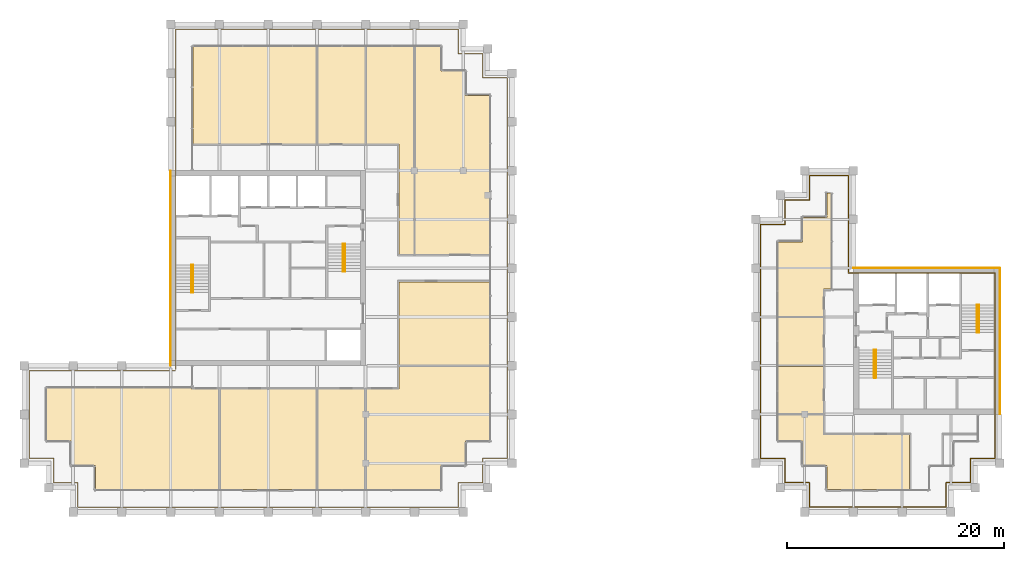
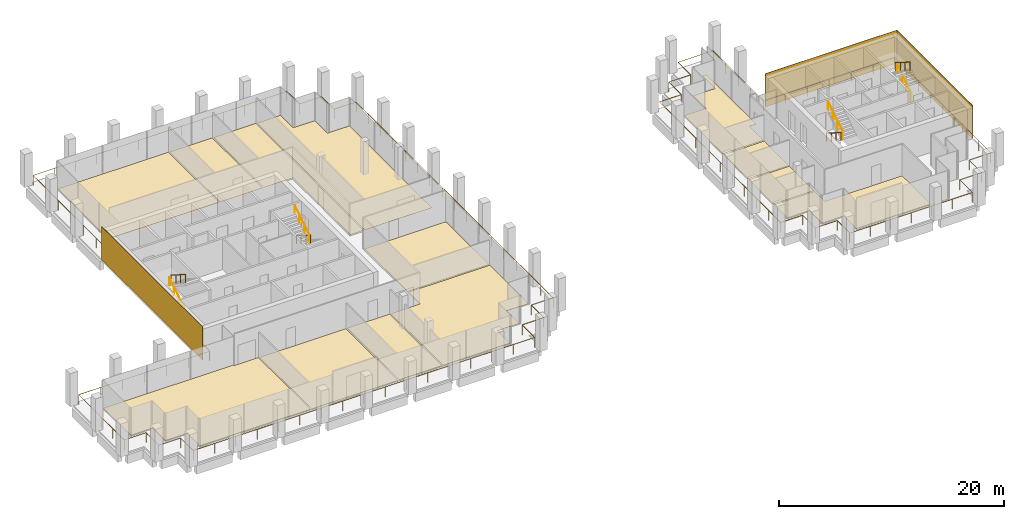
# One storey, part 40 of 40: 16 coverings, 10 railings.
"""IFC4 building model written with IfcOpenShell, lengths in metres."""

import ifcopenshell
import ifcopenshell.guid

model = None  # the IFC model being written
_history = None  # IfcOwnerHistory: only IFC2X3 demands one
_inside = {}  # id of a spatial element -> (the spatial element, [elements in it])
_under = {}  # id of a project, library or spatial element -> (it, [spatial elements below it])
_declared = {}  # id of a project -> (the project, [libraries it declares])
_typed = {}  # id of a type object -> (the type object, [elements of that type])
_made_of = {}  # id of a material, layer set ... -> (it, [elements and type objects made of it])


def new_model(schema):
    """Start an empty IFC model of exactly this schema.

    Asked for "IFC4X3", IfcOpenShell would pick the latest addendum, in which some entities
    have other attributes; the version numbers below select the first issue.
    IFC2X3 requires an IfcOwnerHistory on every rooted entity: one is made here for all.
    """
    global model, _history
    if schema == "IFC4X3":
        model = ifcopenshell.file(schema_version=(4, 3, 0, 0))
    else:
        model = ifcopenshell.file(schema=schema)
    _inside.clear()
    _under.clear()
    _declared.clear()
    _typed.clear()
    _made_of.clear()
    _history = None
    if model.schema == "IFC2X3":
        org = make("IfcOrganization", Name="unknown")
        user = make(
            "IfcPersonAndOrganization",
            ThePerson=make("IfcPerson", FamilyName="unknown"),
            TheOrganization=org,
        )
        app = make(
            "IfcApplication",
            ApplicationDeveloper=org,
            Version="unknown",
            ApplicationFullName="unknown",
            ApplicationIdentifier="unknown",
        )
        _history = make(
            "IfcOwnerHistory",
            OwningUser=user,
            OwningApplication=app,
            ChangeAction="ADDED",
            CreationDate=0,
        )
    return model


def make(cls, **values):
    """One entity of the class cls with the attributes given. An attribute that is None is left unset."""
    return model.create_entity(
        cls, **{name: value for name, value in values.items() if value is not None}
    )


def rooted(cls, **values):
    """An entity with a GlobalId (a new one), such as an element, a storey or a relation."""
    return make(cls, GlobalId=ifcopenshell.guid.new(), OwnerHistory=_history, **values)


def si_unit(unit_type, name, prefix=None):
    """IfcSIUnit, for example si_unit("LENGTHUNIT", "METRE", prefix="MILLI")."""
    return make("IfcSIUnit", UnitType=unit_type, Prefix=prefix, Name=name)


def assignment(units):
    """IfcUnitAssignment: the units of a project."""
    return None if units is None else make("IfcUnitAssignment", Units=units)


def point(xyz):
    """IfcCartesianPoint."""
    return None if xyz is None else make("IfcCartesianPoint", Coordinates=xyz)


def direction(xyz):
    """IfcDirection."""
    return None if xyz is None else make("IfcDirection", DirectionRatios=xyz)


def frame(location, z_axis=None, x_axis=None):
    """IfcAxis2Placement3D, a coordinate frame: its origin and axes. An axis left out is left unset."""
    return make(
        "IfcAxis2Placement3D",
        Location=point(location),
        Axis=direction(z_axis),
        RefDirection=direction(x_axis),
    )


def frame_2d(location, x_axis=None):
    """IfcAxis2Placement2D, a coordinate frame in the plane: its origin and x axis."""
    return make(
        "IfcAxis2Placement2D", Location=point(location), RefDirection=direction(x_axis)
    )


def origin():
    """The frame at (0, 0, 0) with its axes left unset."""
    return frame((0.0, 0.0, 0.0))


def origin_2d():
    """The frame at (0, 0) in the plane with its x axis left unset."""
    return frame_2d((0.0, 0.0))


def place(relative_to, where):
    """IfcLocalPlacement: puts the frame where relative to a parent placement (None: the world)."""
    return make(
        "IfcLocalPlacement", PlacementRelTo=relative_to, RelativePlacement=where
    )


def context(
    kind, dimensions, precision=None, world=None, true_north=None, identifier=None
):
    """IfcGeometricRepresentationContext, for example the 3D "Model" context."""
    return make(
        "IfcGeometricRepresentationContext",
        ContextIdentifier=identifier,
        ContextType=kind,
        CoordinateSpaceDimension=dimensions,
        Precision=precision,
        WorldCoordinateSystem=world,
        TrueNorth=true_north,
    )


def subcontext(parent, identifier, kind, view, scale=None):
    """IfcGeometricRepresentationSubContext, for example "Body" below "Model"."""
    return make(
        "IfcGeometricRepresentationSubContext",
        ContextIdentifier=identifier,
        ContextType=kind,
        ParentContext=parent,
        TargetScale=scale,
        TargetView=view,
    )


def project(units=None, contexts=None):
    """IfcProject with its units and contexts."""
    return rooted(
        "IfcProject",
        Name="project",
        RepresentationContexts=contexts,
        UnitsInContext=assignment(units),
    )


def spatial(cls, under=None, at=None, **own):
    """A site, building, storey or space (cls), placed at a placement, below another one or the project."""
    s = rooted(cls, ObjectPlacement=at, **own)
    if under is not None:
        _under.setdefault(under.id(), (under, []))[1].append(s)
    return s


def polyline(points):
    """IfcPolyline through the points."""
    return make("IfcPolyline", Points=[point(p) for p in points])


def profile(cls, at=None, kind="AREA", **sizes):
    """A parametric profile (cls). Its sizes go by their IFC names, for example OverallWidth=200.0."""
    return make(cls, ProfileType=kind, Position=at, **sizes)


def rectangle(**sizes):
    """IfcRectangleProfileDef."""
    return profile("IfcRectangleProfileDef", **sizes)


def circle(**sizes):
    """IfcCircleProfileDef."""
    return profile("IfcCircleProfileDef", **sizes)


def outline(outer, holes=None, kind="AREA"):
    """IfcArbitraryClosedProfileDef: a profile drawn as a closed curve; with holes, ...WithVoids."""
    if holes is None:
        return make("IfcArbitraryClosedProfileDef", ProfileType=kind, OuterCurve=outer)
    return make(
        "IfcArbitraryProfileDefWithVoids",
        ProfileType=kind,
        OuterCurve=outer,
        InnerCurves=holes,
    )


def extrude(swept, where, along, depth):
    """IfcExtrudedAreaSolid: the profile swept, set in the frame where, extruded along a direction by depth."""
    return make(
        "IfcExtrudedAreaSolid",
        SweptArea=swept,
        Position=where,
        ExtrudedDirection=direction(along),
        Depth=depth,
    )


def shape(context_of_items, identifier, shape_type, items):
    """IfcShapeRepresentation: the items that make up one representation, for example the "Body"."""
    return make(
        "IfcShapeRepresentation",
        ContextOfItems=context_of_items,
        RepresentationIdentifier=identifier,
        RepresentationType=shape_type,
        Items=items,
    )


def source(mapping_origin, context_of_items, identifier, shape_type, items):
    """IfcRepresentationMap: a shape defined once, which mapped items show again and again."""
    return make(
        "IfcRepresentationMap",
        MappingOrigin=mapping_origin,
        MappedRepresentation=shape(context_of_items, identifier, shape_type, items),
    )


def transform(
    local_origin,
    x_axis=None,
    y_axis=None,
    z_axis=None,
    scale=None,
    scale2=None,
    scale3=None,
    uniform=True,
):
    """IfcCartesianTransformationOperator3D, or its non-uniform kind. x_axis, y_axis, z_axis: its Axis1, 2, 3."""
    if uniform:
        return make(
            "IfcCartesianTransformationOperator3D",
            Axis1=direction(x_axis),
            Axis2=direction(y_axis),
            LocalOrigin=point(local_origin),
            Scale=scale,
            Axis3=direction(z_axis),
        )
    return make(
        "IfcCartesianTransformationOperator3DnonUniform",
        Axis1=direction(x_axis),
        Axis2=direction(y_axis),
        LocalOrigin=point(local_origin),
        Scale=scale,
        Axis3=direction(z_axis),
        Scale2=scale2,
        Scale3=scale3,
    )


def mapped(mapping_source, mapping_target):
    """IfcMappedItem: shows the shape of a source again, moved by a transform."""
    return make(
        "IfcMappedItem", MappingSource=mapping_source, MappingTarget=mapping_target
    )


def material(Name=None, Category=None):
    """IfcMaterial."""
    return make("IfcMaterial", Name=Name, Category=Category)


def layer(
    of_material, thickness, ventilated=None, Name=None, Category=None, Priority=None
):
    """IfcMaterialLayer: one layer of a wall or slab, of a material (None: an air gap)."""
    return make(
        "IfcMaterialLayer",
        Material=of_material,
        LayerThickness=thickness,
        IsVentilated=ventilated,
        Name=Name,
        Category=Category,
        Priority=Priority,
    )


def layer_set(layers, Name=None):
    """IfcMaterialLayerSet."""
    return make("IfcMaterialLayerSet", MaterialLayers=layers, LayerSetName=Name)


def made_of(thing, what):
    """Note that an element or type object is made of a material, layer set ...; save() writes the relation."""
    if what is not None:
        _made_of.setdefault(what.id(), (what, []))[1].append(thing)
    return thing


def type_object(cls, material=None, **own):
    """A type object (cls), such as IfcWallType, which elements share."""
    return made_of(rooted(cls, **own), material)


def element(
    cls,
    number,
    at=None,
    inside=None,
    cuts=None,
    type_object=None,
    material=None,
    context=None,
    identifier="Body",
    shape_type=None,
    held_by="IfcProductDefinitionShape",
    body=None,
    shapes=None,
    **own,
):
    """One element of the class cls, such as IfcWall. Its Tag is "e" and its number.

    at: its placement. inside: the storey or other place that contains it. cuts: it is an
    opening in that element (IfcRelVoidsElement). A single representation is given by context,
    identifier, shape_type and body (its items); several are given by shapes. held_by: the class
    of the entity that holds the representations. save() writes the other relations.
    """
    e = rooted(cls, Tag="e%d" % number, ObjectPlacement=at, **own)
    if body is not None:
        shapes = [shape(context, identifier, shape_type, body)]
    if shapes is not None:
        e.Representation = make(held_by, Representations=shapes)
    if inside is not None:
        _inside.setdefault(inside.id(), (inside, []))[1].append(e)
    if cuts is not None:
        rooted(
            "IfcRelVoidsElement", RelatingBuildingElement=cuts, RelatedOpeningElement=e
        )
    if type_object is not None:
        _typed.setdefault(type_object.id(), (type_object, []))[1].append(e)
    return made_of(e, material)


def aggregate(whole, parts):
    """IfcRelAggregates: a whole, such as a stair, and the parts it consists of."""
    return rooted("IfcRelAggregates", RelatingObject=whole, RelatedObjects=parts)


def save(model, path):
    """Write the relations noted so far, then the file.

    IfcRelAggregates (storeys below a building ...), IfcRelContainedInSpatialStructure (elements
    in a storey), IfcRelDefinesByType, IfcRelAssociatesMaterial and IfcRelDeclares: one each for
    every whole, place, type object, material and project.
    """
    for whole, parts in _under.values():
        aggregate(whole, parts)
    for where, things in _inside.values():
        rooted(
            "IfcRelContainedInSpatialStructure",
            RelatedElements=things,
            RelatingStructure=where,
        )
    for kind, things in _typed.values():
        rooted("IfcRelDefinesByType", RelatedObjects=things, RelatingType=kind)
    for what, things in _made_of.values():
        rooted("IfcRelAssociatesMaterial", RelatedObjects=things, RelatingMaterial=what)
    for by, libraries in _declared.values():
        rooted("IfcRelDeclares", RelatingContext=by, RelatedDefinitions=libraries)
    model.write(path)


model = new_model("IFC4")

# Units and contexts
model_context = context("Model", 3, precision=1e-05, world=origin(), true_north=direction((0.0, 1.0)))
body_context = subcontext(model_context, "Body", "Model", "MODEL_VIEW")
ifc_project = project(units=[si_unit("LENGTHUNIT", "METRE"), si_unit("AREAUNIT", "SQUARE_METRE"), si_unit("VOLUMEUNIT", "CUBIC_METRE"), si_unit("PLANEANGLEUNIT", "RADIAN"), si_unit("MASSUNIT", "GRAM", prefix="KILO")], contexts=[model_context])

# Site, building, storey
site_placement = place(None, origin())
site = spatial("IfcSite", under=ifc_project, at=site_placement, CompositionType="ELEMENT")
building_placement = place(site_placement, origin())
building = spatial("IfcBuilding", under=site, at=building_placement, Name="Altepetl Exchange Towers", CompositionType="ELEMENT")
storey_placement = place(building_placement, frame((0.0, 0.0, 199.199951171875)))
storey = spatial("IfcBuildingStorey", under=building, at=storey_placement, Name="L50", CompositionType="ELEMENT", Elevation=199.199951171875)

# Coverings
ifc_material_1 = material(Name="Carpet tile")
ifc_layer_1 = layer(ifc_material_1, 0.02001953125)
ifc_layer_set_1 = layer_set([ifc_layer_1], Name="Carpet tile")
covering_type_1 = type_object("IfcCoveringType", Name="Carpet tile floor", PredefinedType="FLOORING", material=ifc_layer_set_1)
covering_1_placement = place(storey_placement, origin())
element("IfcCovering", 1, at=covering_1_placement, inside=storey, type_object=covering_type_1, Name="Open office floor finish A50.02", PredefinedType="FLOORING", context=body_context, shape_type="SweptSolid", body=[
    extrude(outline(polyline([(45.0625, 38.33740234375), (45.0625, 29.0625), (53.9375, 29.0625), (53.9375, 38.33740234375), (45.0625, 38.33740234375)])), origin(), (0.0, 0.0, 1.0), 0.02001953125),
])
covering_2_placement = place(storey_placement, origin())
element("IfcCovering", 2, at=covering_2_placement, inside=storey, type_object=covering_type_1, Name="Open office floor finish A50.06", PredefinedType="FLOORING", context=body_context, shape_type="SweptSolid", body=[
    extrude(outline(polyline([(65.4375, 67.6875), (65.4375, 69.9375), (63.0625, 69.9375), (63.0625, 50.762451171875), (69.9375, 50.762451171875), (69.9375, 65.4375), (67.6875, 65.4375), (67.6875, 67.6875), (65.4375, 67.6875)])), origin(), (0.0, 0.0, 1.0), 0.02001953125),
])
covering_3_placement = place(storey_placement, origin())
element("IfcCovering", 3, at=covering_3_placement, inside=storey, type_object=covering_type_1, Name="Meeting room floor finish A50.07", PredefinedType="FLOORING", context=body_context, shape_type="SweptSolid", body=[
    extrude(outline(polyline([(62.9375, 50.762451171875), (62.9375, 69.9375), (58.5625, 69.9375), (58.5625, 60.96240234375), (61.5625, 60.96240234375), (61.5625, 50.762451171875), (62.9375, 50.762451171875)])), origin(), (0.0, 0.0, 1.0), 0.02001953125),
])
covering_4_placement = place(storey_placement, origin())
element("IfcCovering", 4, at=covering_4_placement, inside=storey, type_object=covering_type_1, Name="Pantry floor finish A50.08", PredefinedType="FLOORING", context=body_context, shape_type="SweptSolid", body=[
    extrude(outline(polyline([(58.4375, 60.96240234375), (58.4375, 69.9375), (54.0625, 69.9375), (54.0625, 60.96240234375), (58.4375, 60.96240234375)])), origin(), (0.0, 0.0, 1.0), 0.02001953125),
])
covering_5_placement = place(storey_placement, origin())
element("IfcCovering", 5, at=covering_5_placement, inside=storey, type_object=covering_type_1, Name="Fund office floor finish B50.01", PredefinedType="FLOORING", context=body_context, shape_type="SweptSolid", body=[
    extrude(outline(polyline([(100.737548828125, 44.9375), (96.5625, 44.9375), (96.5625, 40.5625), (100.737548828125, 40.5625), (100.737548828125, 44.9375)])), origin(), (0.0, 0.0, 1.0), 0.02001953125),
])
covering_6_placement = place(storey_placement, origin())
element("IfcCovering", 6, at=covering_6_placement, inside=storey, type_object=covering_type_1, Name="Fund office floor finish B50.02", PredefinedType="FLOORING", context=body_context, shape_type="SweptSolid", body=[
    extrude(outline(polyline([(100.737548828125, 40.4375), (96.5625, 40.4375), (96.5625, 36.0625), (100.737548828125, 36.0625), (100.737548828125, 40.4375)])), origin(), (0.0, 0.0, 1.0), 0.02001953125),
])
covering_7_placement = place(storey_placement, origin())
element("IfcCovering", 7, at=covering_7_placement, inside=storey, type_object=covering_type_1, Name="Wealth office floor finish B50.03", PredefinedType="FLOORING", context=body_context, shape_type="SweptSolid", body=[
    extrude(outline(polyline([(100.737548828125, 34.137451171875), (100.737548828125, 35.9375), (96.5625, 35.9375), (96.5625, 33.5625), (98.8125, 33.5625), (98.8125, 31.3125), (101.0625, 31.3125), (101.0625, 29.0625), (108.6875, 29.0625), (108.6875, 34.137451171875), (100.737548828125, 34.137451171875)])), origin(), (0.0, 0.0, 1.0), 0.02001953125),
])
covering_8_placement = place(storey_placement, origin())
element("IfcCovering", 8, at=covering_8_placement, inside=storey, type_object=covering_type_1, Name="Family office floor finish B50.04", PredefinedType="FLOORING", context=body_context, shape_type="SweptSolid", body=[
    extrude(outline(polyline([(96.5625, 51.9375), (96.5625, 45.0625), (100.737548828125, 45.0625), (100.737548828125, 47.5625), (101.4375, 47.5625), (101.4375, 56.4375), (101.0625, 56.4375), (101.0625, 54.1875), (98.8125, 54.1875), (98.8125, 51.9375), (96.5625, 51.9375)])), origin(), (0.0, 0.0, 1.0), 0.02001953125),
])
ifc_material_2 = material(Name="Calcium sulphate access floor panel")
ifc_layer_2 = layer(ifc_material_2, 0.0400390625)
ifc_layer_set_2 = layer_set([ifc_layer_2], Name="Calcium sulphate access floor panel")
covering_type_2 = type_object("IfcCoveringType", Name="Raised access floor panels", PredefinedType="FLOORING", material=ifc_layer_set_2)
covering_9_placement = place(storey_placement, origin())
element("IfcCovering", 9, at=covering_9_placement, inside=storey, type_object=covering_type_2, Name="Broker office floor finish A50.01", PredefinedType="FLOORING", context=body_context, shape_type="SweptSolid", body=[
    extrude(outline(polyline([(33.5625, 29.0625), (44.9375, 29.0625), (44.9375, 38.33740234375), (42.4375, 38.33740234375), (42.4375, 38.4375), (29.0625, 38.4375), (29.0625, 33.5625), (31.3125, 33.5625), (31.3125, 31.3125), (33.5625, 31.3125), (33.5625, 29.0625)])), origin(), (0.0, 0.0, 1.0), 0.0400390625),
])
covering_10_placement = place(storey_placement, origin())
element("IfcCovering", 10, at=covering_10_placement, inside=storey, type_object=covering_type_2, Name="Data room floor finish A50.03", PredefinedType="FLOORING", context=body_context, shape_type="SweptSolid", body=[
    extrude(outline(polyline([(54.0625, 29.0625), (58.4375, 29.0625), (58.4375, 38.33740234375), (54.0625, 38.33740234375), (54.0625, 29.0625)])), origin(), (0.0, 0.0, 1.0), 0.0400390625),
])
covering_11_placement = place(storey_placement, origin())
element("IfcCovering", 11, at=covering_11_placement, inside=storey, type_object=covering_type_2, Name="Treasury office floor finish A50.04", PredefinedType="FLOORING", context=body_context, shape_type="SweptSolid", body=[
    extrude(outline(polyline([(58.5625, 38.33740234375), (58.5625, 29.0625), (65.4375, 29.0625), (65.4375, 31.3125), (67.6875, 31.3125), (67.6875, 33.5625), (69.9375, 33.5625), (69.9375, 40.4375), (61.5625, 40.4375), (61.5625, 38.33740234375), (58.5625, 38.33740234375)])), origin(), (0.0, 0.0, 1.0), 0.0400390625),
])
covering_12_placement = place(storey_placement, origin())
element("IfcCovering", 12, at=covering_12_placement, inside=storey, type_object=covering_type_2, Name="Treasury office floor finish A50.05", PredefinedType="FLOORING", context=body_context, shape_type="SweptSolid", body=[
    extrude(outline(polyline([(61.5625, 40.5625), (69.9375, 40.5625), (69.9375, 48.237548828125), (61.5625, 48.237548828125), (61.5625, 40.5625)])), origin(), (0.0, 0.0, 1.0), 0.0400390625),
])
covering_13_placement = place(storey_placement, origin())
element("IfcCovering", 13, at=covering_13_placement, inside=storey, type_object=covering_type_2, Name="Broker office floor finish A50.09", PredefinedType="FLOORING", context=body_context, shape_type="SweptSolid", body=[
    extrude(outline(polyline([(53.9375, 60.96240234375), (53.9375, 69.9375), (42.5625, 69.9375), (42.5625, 60.96240234375), (53.9375, 60.96240234375)])), origin(), (0.0, 0.0, 1.0), 0.0400390625),
])
ifc_material_3 = material(Name="Cantera limestone cladding", Category="masonry")
ifc_layer_3 = layer(ifc_material_3, 0.0400390625)
ifc_layer_set_3 = layer_set([ifc_layer_3], Name="Cantera limestone cladding")
covering_type_3 = type_object("IfcCoveringType", Name="Stone panel 40 cantera", PredefinedType="CLADDING", material=ifc_layer_set_3)
covering_14_placement = place(storey_placement, frame((40.47998046875, 49.5, 0.0), z_axis=(0.0, 0.0, 1.0), x_axis=(0.0, -1.0, 0.0)))
element("IfcCovering", 14, at=covering_14_placement, inside=storey, type_object=covering_type_3, Name="Stone cladding panel", PredefinedType="CLADDING", context=body_context, shape_type="SweptSolid", body=[
    extrude(rectangle(XDim=18.0, YDim=0.0400390625, at=origin_2d()), origin(), (0.0, 0.0, 1.0), 3.60009765625),
])
for number, where, z_axis, x_axis, name in (
    (15, (117.02001953125, 42.75, 0.0), (0.0, 0.0, 1.0), (0.0, 1.0, 0.0), "Stone cladding panel"),
    (16, (110.25, 49.52001953125, 0.0), (0.0, 0.0, 1.0), (-1.0, 0.0, 0.0), "Stone cladding panel"),
):
    element("IfcCovering", number, at=place(storey_placement, frame(where, z_axis=z_axis, x_axis=x_axis)), inside=storey, type_object=covering_type_3, Name=name, PredefinedType="CLADDING", context=body_context, shape_type="SweptSolid", body=[
        extrude(rectangle(XDim=13.5, YDim=0.0400390625, at=origin_2d()), origin(), (0.0, 0.0, 1.0), 3.60009765625),
    ])

# Railings
ifc_material_4 = material(Name="Steel S355", Category="steel")
railing_type_1 = type_object("IfcRailingType", Name="Guard 1100 steel posts and rail", PredefinedType="GUARDRAIL", material=ifc_material_4)
shared_shape_1 = source(origin(), body_context, "Body", "SweptSolid", [
    extrude(circle(Radius=0.02099609375, at=origin_2d()), origin(), (0.0, 0.0, 1.0), 1.052001953125),
])
railing_1_placement = place(storey_placement, frame((40.949951171875, 40.050048828125, 0.0)))
element("IfcRailing", 17, at=railing_1_placement, inside=storey, type_object=railing_type_1, Name="Loggia guard", PredefinedType="GUARDRAIL", context=body_context, shape_type="SweptSolid", body=[
    extrude(circle(Radius=0.02392578125, at=origin_2d()), frame((0.0, 0.0, 1.076171875), z_axis=(-1.0, 0.0, 0.0), x_axis=(0.0, -1.0, 0.0)), (0.0, 0.0, 1.0), 13.5),
    extrude(circle(Radius=0.02392578125, at=origin_2d()), frame((-13.5, 0.0, 1.076171875), z_axis=(0.0, -1.0, 0.0), x_axis=(1.0, 0.0, 0.0)), (0.0, 0.0, 1.0), 8.10009765625),
    extrude(circle(Radius=0.02392578125, at=origin_2d()), frame((-13.5, -8.10009765625, 1.076171875), z_axis=(1.0, 0.0, 0.0), x_axis=(0.0, 1.0, 0.0)), (0.0, 0.0, 1.0), 2.25),
    extrude(circle(Radius=0.02392578125, at=origin_2d()), frame((-11.25, -8.10009765625, 1.076171875), z_axis=(0.0, -1.0, 0.0), x_axis=(1.0, 0.0, 0.0)), (0.0, 0.0, 1.0), 2.25),
    extrude(circle(Radius=0.02392578125, at=origin_2d()), frame((-11.25, -10.35009765625, 1.076171875), z_axis=(1.0, 0.0, 0.0), x_axis=(0.0, 1.0, 0.0)), (0.0, 0.0, 1.0), 2.25),
    extrude(circle(Radius=0.02392578125, at=origin_2d()), frame((-9.0, -10.35009765625, 1.076171875), z_axis=(0.0, -1.0, 0.0), x_axis=(1.0, 0.0, 0.0)), (0.0, 0.0, 1.0), 2.25),
    extrude(circle(Radius=0.02392578125, at=origin_2d()), frame((-9.0, -12.60009765625, 1.076171875), z_axis=(1.0, 0.0, 0.0), x_axis=(0.0, 1.0, 0.0)), (0.0, 0.0, 1.0), 35.10009765625),
    extrude(circle(Radius=0.02392578125, at=origin_2d()), frame((26.10009765625, -12.60009765625, 1.076171875), z_axis=(0.0, 1.0, 0.0), x_axis=(-1.0, 0.0, 0.0)), (0.0, 0.0, 1.0), 2.25),
    extrude(circle(Radius=0.02392578125, at=origin_2d()), frame((26.10009765625, -10.35009765625, 1.076171875), z_axis=(1.0, 0.0, 0.0), x_axis=(0.0, 1.0, 0.0)), (0.0, 0.0, 1.0), 2.25),
    extrude(circle(Radius=0.02392578125, at=origin_2d()), frame((28.35009765625, -10.35009765625, 1.076171875), z_axis=(0.0, 1.0, 0.0), x_axis=(-1.0, 0.0, 0.0)), (0.0, 0.0, 1.0), 2.25),
    extrude(circle(Radius=0.02392578125, at=origin_2d()), frame((28.35009765625, -8.10009765625, 1.076171875), z_axis=(1.0, 0.0, 0.0), x_axis=(0.0, 1.0, 0.0)), (0.0, 0.0, 1.0), 2.25),
    extrude(circle(Radius=0.02392578125, at=origin_2d()), frame((30.60009765625, -8.10009765625, 1.076171875), z_axis=(0.0, 1.0, 0.0), x_axis=(-1.0, 0.0, 0.0)), (0.0, 0.0, 1.0), 35.10009765625),
    extrude(circle(Radius=0.02392578125, at=origin_2d()), frame((30.60009765625, 27.0, 1.076171875), z_axis=(-1.0, 0.0, 0.0), x_axis=(0.0, -1.0, 0.0)), (0.0, 0.0, 1.0), 2.25),
    extrude(circle(Radius=0.02392578125, at=origin_2d()), frame((28.35009765625, 27.0, 1.076171875), z_axis=(0.0, 1.0, 0.0), x_axis=(-1.0, 0.0, 0.0)), (0.0, 0.0, 1.0), 2.25),
    extrude(circle(Radius=0.02392578125, at=origin_2d()), frame((28.35009765625, 29.25, 1.076171875), z_axis=(-1.0, 0.0, 0.0), x_axis=(0.0, -1.0, 0.0)), (0.0, 0.0, 1.0), 2.25),
    extrude(circle(Radius=0.02392578125, at=origin_2d()), frame((26.10009765625, 29.25, 1.076171875), z_axis=(0.0, 1.0, 0.0), x_axis=(-1.0, 0.0, 0.0)), (0.0, 0.0, 1.0), 2.25),
    extrude(circle(Radius=0.02392578125, at=origin_2d()), frame((26.10009765625, 31.5, 1.076171875), z_axis=(-1.0, 0.0, 0.0), x_axis=(0.0, -1.0, 0.0)), (0.0, 0.0, 1.0), 26.10009765625),
    extrude(circle(Radius=0.02392578125, at=origin_2d()), frame((0.0, 31.5, 1.076171875), z_axis=(0.0, -1.0, 0.0), x_axis=(1.0, 0.0, 0.0)), (0.0, 0.0, 1.0), 31.400146484375),
    mapped(shared_shape_1, transform((0.0, 0.0, 0.0))),
    mapped(shared_shape_1, transform((-2.25, 0.0, 0.0))),
    mapped(shared_shape_1, transform((-4.5, 0.0, 0.0))),
    mapped(shared_shape_1, transform((-6.75, 0.0, 0.0))),
    mapped(shared_shape_1, transform((-9.0, 0.0, 0.0))),
    mapped(shared_shape_1, transform((-11.25, 0.0, 0.0))),
    mapped(shared_shape_1, transform((-13.5, 0.0, 0.0))),
    mapped(shared_shape_1, transform((-13.5, -2.02490234375, 0.0))),
    mapped(shared_shape_1, transform((-13.5, -4.050048828125, 0.0))),
    mapped(shared_shape_1, transform((-13.5, -6.0751953125, 0.0))),
    mapped(shared_shape_1, transform((-13.5, -8.10009765625, 0.0))),
    mapped(shared_shape_1, transform((-11.25, -8.10009765625, 0.0))),
    mapped(shared_shape_1, transform((-11.25, -10.35009765625, 0.0))),
    mapped(shared_shape_1, transform((-9.0, -10.35009765625, 0.0))),
    mapped(shared_shape_1, transform((-9.0, -12.60009765625, 0.0))),
    mapped(shared_shape_1, transform((-6.80615234375, -12.60009765625, 0.0))),
    mapped(shared_shape_1, transform((-4.612548828125, -12.60009765625, 0.0))),
    mapped(shared_shape_1, transform((-2.418701171875, -12.60009765625, 0.0))),
    mapped(shared_shape_1, transform((-0.22509765625, -12.60009765625, 0.0))),
    mapped(shared_shape_1, transform((1.96875, -12.60009765625, 0.0))),
    mapped(shared_shape_1, transform((4.16259765625, -12.60009765625, 0.0))),
    mapped(shared_shape_1, transform((6.356201171875, -12.60009765625, 0.0))),
    mapped(shared_shape_1, transform((8.550048828125, -12.60009765625, 0.0))),
    mapped(shared_shape_1, transform((10.743896484375, -12.60009765625, 0.0))),
    mapped(shared_shape_1, transform((12.9375, -12.60009765625, 0.0))),
    mapped(shared_shape_1, transform((15.13134765625, -12.60009765625, 0.0))),
    mapped(shared_shape_1, transform((17.3251953125, -12.60009765625, 0.0))),
    mapped(shared_shape_1, transform((19.518798828125, -12.60009765625, 0.0))),
    mapped(shared_shape_1, transform((21.712646484375, -12.60009765625, 0.0))),
    mapped(shared_shape_1, transform((23.90625, -12.60009765625, 0.0))),
    mapped(shared_shape_1, transform((26.10009765625, -12.60009765625, 0.0))),
    mapped(shared_shape_1, transform((26.10009765625, -10.35009765625, 0.0))),
    mapped(shared_shape_1, transform((28.35009765625, -10.35009765625, 0.0))),
    mapped(shared_shape_1, transform((28.35009765625, -8.10009765625, 0.0))),
    mapped(shared_shape_1, transform((30.60009765625, -8.10009765625, 0.0))),
    mapped(shared_shape_1, transform((30.60009765625, -5.90625, 0.0))),
    mapped(shared_shape_1, transform((30.60009765625, -3.712646484375, 0.0))),
    mapped(shared_shape_1, transform((30.60009765625, -1.518798828125, 0.0))),
    mapped(shared_shape_1, transform((30.60009765625, 0.6748046875, 0.0))),
    mapped(shared_shape_1, transform((30.60009765625, 2.86865234375, 0.0))),
    mapped(shared_shape_1, transform((30.60009765625, 5.0625, 0.0))),
    mapped(shared_shape_1, transform((30.60009765625, 7.256103515625, 0.0))),
    mapped(shared_shape_1, transform((30.60009765625, 9.449951171875, 0.0))),
    mapped(shared_shape_1, transform((30.60009765625, 11.643798828125, 0.0))),
    mapped(shared_shape_1, transform((30.60009765625, 13.83740234375, 0.0))),
    mapped(shared_shape_1, transform((30.60009765625, 16.03125, 0.0))),
    mapped(shared_shape_1, transform((30.60009765625, 18.22509765625, 0.0))),
    mapped(shared_shape_1, transform((30.60009765625, 20.418701171875, 0.0))),
    mapped(shared_shape_1, transform((30.60009765625, 22.612548828125, 0.0))),
    mapped(shared_shape_1, transform((30.60009765625, 24.80615234375, 0.0))),
    mapped(shared_shape_1, transform((30.60009765625, 27.0, 0.0))),
    mapped(shared_shape_1, transform((28.35009765625, 27.0, 0.0))),
    mapped(shared_shape_1, transform((28.35009765625, 29.25, 0.0))),
    mapped(shared_shape_1, transform((26.10009765625, 29.25, 0.0))),
    mapped(shared_shape_1, transform((26.10009765625, 31.5, 0.0))),
    mapped(shared_shape_1, transform((23.925048828125, 31.5, 0.0))),
    mapped(shared_shape_1, transform((21.75, 31.5, 0.0))),
    mapped(shared_shape_1, transform((19.5751953125, 31.5, 0.0))),
    mapped(shared_shape_1, transform((17.400146484375, 31.5, 0.0))),
    mapped(shared_shape_1, transform((15.22509765625, 31.5, 0.0))),
    mapped(shared_shape_1, transform((13.050048828125, 31.5, 0.0))),
    mapped(shared_shape_1, transform((10.875, 31.5, 0.0))),
    mapped(shared_shape_1, transform((8.699951171875, 31.5, 0.0))),
    mapped(shared_shape_1, transform((6.52490234375, 31.5, 0.0))),
    mapped(shared_shape_1, transform((4.35009765625, 31.5, 0.0))),
    mapped(shared_shape_1, transform((2.175048828125, 31.5, 0.0))),
    mapped(shared_shape_1, transform((0.0, 31.5, 0.0))),
    mapped(shared_shape_1, transform((0.0, 29.257080078125, 0.0))),
    mapped(shared_shape_1, transform((0.0, 27.01416015625, 0.0))),
    mapped(shared_shape_1, transform((0.0, 24.771484375, 0.0))),
    mapped(shared_shape_1, transform((0.0, 22.528564453125, 0.0))),
    mapped(shared_shape_1, transform((0.0, 20.28564453125, 0.0))),
    mapped(shared_shape_1, transform((0.0, 18.042724609375, 0.0))),
    mapped(shared_shape_1, transform((0.0, 15.7998046875, 0.0))),
    mapped(shared_shape_1, transform((0.0, 13.55712890625, 0.0))),
    mapped(shared_shape_1, transform((0.0, 11.314208984375, 0.0))),
    mapped(shared_shape_1, transform((0.0, 9.0712890625, 0.0))),
    mapped(shared_shape_1, transform((0.0, 6.828369140625, 0.0))),
    mapped(shared_shape_1, transform((0.0, 4.585693359375, 0.0))),
    mapped(shared_shape_1, transform((0.0, 2.3427734375, 0.0))),
    mapped(shared_shape_1, transform((0.0, 0.099853515625, 0.0))),
])
railing_2_placement = place(storey_placement, frame((99.449951171875, 27.449951171875, 0.0)))
element("IfcRailing", 18, at=railing_2_placement, inside=storey, type_object=railing_type_1, Name="Loggia guard", PredefinedType="GUARDRAIL", context=body_context, shape_type="SweptSolid", body=[
    extrude(circle(Radius=0.02392578125, at=origin_2d()), frame((0.0, 0.0, 1.076171875), z_axis=(1.0, 0.0, 0.0), x_axis=(0.0, 1.0, 0.0)), (0.0, 0.0, 1.0), 12.60009765625),
    extrude(circle(Radius=0.02392578125, at=origin_2d()), frame((12.60009765625, 0.0, 1.076171875), z_axis=(0.0, 1.0, 0.0), x_axis=(-1.0, 0.0, 0.0)), (0.0, 0.0, 1.0), 2.25),
    extrude(circle(Radius=0.02392578125, at=origin_2d()), frame((12.60009765625, 2.25, 1.076171875), z_axis=(1.0, 0.0, 0.0), x_axis=(0.0, 1.0, 0.0)), (0.0, 0.0, 1.0), 2.25),
    extrude(circle(Radius=0.02392578125, at=origin_2d()), frame((14.85009765625, 2.25, 1.076171875), z_axis=(0.0, 1.0, 0.0), x_axis=(-1.0, 0.0, 0.0)), (0.0, 0.0, 1.0), 2.25),
    extrude(circle(Radius=0.02392578125, at=origin_2d()), frame((14.85009765625, 4.5, 1.076171875), z_axis=(1.0, 0.0, 0.0), x_axis=(0.0, 1.0, 0.0)), (0.0, 0.0, 1.0), 2.25),
    extrude(circle(Radius=0.02392578125, at=origin_2d()), frame((17.10009765625, 4.5, 1.076171875), z_axis=(0.0, 1.0, 0.0), x_axis=(-1.0, 0.0, 0.0)), (0.0, 0.0, 1.0), 17.10009765625),
    extrude(circle(Radius=0.02392578125, at=origin_2d()), frame((17.10009765625, 21.60009765625, 1.076171875), z_axis=(-1.0, 0.0, 0.0), x_axis=(0.0, -1.0, 0.0)), (0.0, 0.0, 1.0), 13.5),
    extrude(circle(Radius=0.02392578125, at=origin_2d()), frame((3.60009765625, 21.60009765625, 1.076171875), z_axis=(0.0, 1.0, 0.0), x_axis=(-1.0, 0.0, 0.0)), (0.0, 0.0, 1.0), 9.0),
    extrude(circle(Radius=0.02392578125, at=origin_2d()), frame((3.60009765625, 30.60009765625, 1.076171875), z_axis=(-1.0, 0.0, 0.0), x_axis=(0.0, -1.0, 0.0)), (0.0, 0.0, 1.0), 3.60009765625),
    extrude(circle(Radius=0.02392578125, at=origin_2d()), frame((0.0, 30.60009765625, 1.076171875), z_axis=(0.0, -1.0, 0.0), x_axis=(1.0, 0.0, 0.0)), (0.0, 0.0, 1.0), 2.25),
    extrude(circle(Radius=0.02392578125, at=origin_2d()), frame((0.0, 28.35009765625, 1.076171875), z_axis=(-1.0, 0.0, 0.0), x_axis=(0.0, -1.0, 0.0)), (0.0, 0.0, 1.0), 2.25),
    extrude(circle(Radius=0.02392578125, at=origin_2d()), frame((-2.25, 28.35009765625, 1.076171875), z_axis=(0.0, -1.0, 0.0), x_axis=(1.0, 0.0, 0.0)), (0.0, 0.0, 1.0), 2.25),
    extrude(circle(Radius=0.02392578125, at=origin_2d()), frame((-2.25, 26.10009765625, 1.076171875), z_axis=(-1.0, 0.0, 0.0), x_axis=(0.0, -1.0, 0.0)), (0.0, 0.0, 1.0), 2.25),
    extrude(circle(Radius=0.02392578125, at=origin_2d()), frame((-4.5, 26.10009765625, 1.076171875), z_axis=(0.0, -1.0, 0.0), x_axis=(1.0, 0.0, 0.0)), (0.0, 0.0, 1.0), 21.60009765625),
    extrude(circle(Radius=0.02392578125, at=origin_2d()), frame((-4.5, 4.5, 1.076171875), z_axis=(1.0, 0.0, 0.0), x_axis=(0.0, 1.0, 0.0)), (0.0, 0.0, 1.0), 2.25),
    extrude(circle(Radius=0.02392578125, at=origin_2d()), frame((-2.25, 4.5, 1.076171875), z_axis=(0.0, -1.0, 0.0), x_axis=(1.0, 0.0, 0.0)), (0.0, 0.0, 1.0), 2.25),
    extrude(circle(Radius=0.02392578125, at=origin_2d()), frame((-2.25, 2.25, 1.076171875), z_axis=(1.0, 0.0, 0.0), x_axis=(0.0, 1.0, 0.0)), (0.0, 0.0, 1.0), 2.25),
    extrude(circle(Radius=0.02392578125, at=origin_2d()), frame((0.0, 2.25, 1.076171875), z_axis=(0.0, -1.0, 0.0), x_axis=(1.0, 0.0, 0.0)), (0.0, 0.0, 1.0), 2.14990234375),
    mapped(shared_shape_1, transform((0.0, 0.0, 0.0))),
    mapped(shared_shape_1, transform((2.10009765625, 0.0, 0.0))),
    mapped(shared_shape_1, transform((4.199951171875, 0.0, 0.0))),
    mapped(shared_shape_1, transform((6.300048828125, 0.0, 0.0))),
    mapped(shared_shape_1, transform((8.400146484375, 0.0, 0.0))),
    mapped(shared_shape_1, transform((10.5, 0.0, 0.0))),
    mapped(shared_shape_1, transform((12.60009765625, 0.0, 0.0))),
    mapped(shared_shape_1, transform((12.60009765625, 2.25, 0.0))),
    mapped(shared_shape_1, transform((14.85009765625, 2.25, 0.0))),
    mapped(shared_shape_1, transform((14.85009765625, 4.5, 0.0))),
    mapped(shared_shape_1, transform((17.10009765625, 4.5, 0.0))),
    mapped(shared_shape_1, transform((17.10009765625, 6.637451171875, 0.0))),
    mapped(shared_shape_1, transform((17.10009765625, 8.77490234375, 0.0))),
    mapped(shared_shape_1, transform((17.10009765625, 10.91259765625, 0.0))),
    mapped(shared_shape_1, transform((17.10009765625, 13.050048828125, 0.0))),
    mapped(shared_shape_1, transform((17.10009765625, 15.1875, 0.0))),
    mapped(shared_shape_1, transform((17.10009765625, 17.3251953125, 0.0))),
    mapped(shared_shape_1, transform((17.10009765625, 19.462646484375, 0.0))),
    mapped(shared_shape_1, transform((17.10009765625, 21.60009765625, 0.0))),
    mapped(shared_shape_1, transform((14.85009765625, 21.60009765625, 0.0))),
    mapped(shared_shape_1, transform((12.60009765625, 21.60009765625, 0.0))),
    mapped(shared_shape_1, transform((10.35009765625, 21.60009765625, 0.0))),
    mapped(shared_shape_1, transform((8.10009765625, 21.60009765625, 0.0))),
    mapped(shared_shape_1, transform((5.85009765625, 21.60009765625, 0.0))),
    mapped(shared_shape_1, transform((3.60009765625, 21.60009765625, 0.0))),
    mapped(shared_shape_1, transform((3.60009765625, 23.85009765625, 0.0))),
    mapped(shared_shape_1, transform((3.60009765625, 26.10009765625, 0.0))),
    mapped(shared_shape_1, transform((3.60009765625, 28.35009765625, 0.0))),
    mapped(shared_shape_1, transform((3.60009765625, 30.60009765625, 0.0))),
    mapped(shared_shape_1, transform((1.800048828125, 30.60009765625, 0.0))),
    mapped(shared_shape_1, transform((0.0, 30.60009765625, 0.0))),
    mapped(shared_shape_1, transform((0.0, 28.35009765625, 0.0))),
    mapped(shared_shape_1, transform((-2.25, 28.35009765625, 0.0))),
    mapped(shared_shape_1, transform((-2.25, 26.10009765625, 0.0))),
    mapped(shared_shape_1, transform((-4.5, 26.10009765625, 0.0))),
    mapped(shared_shape_1, transform((-4.5, 23.940185546875, 0.0))),
    mapped(shared_shape_1, transform((-4.5, 21.780029296875, 0.0))),
    mapped(shared_shape_1, transform((-4.5, 19.6201171875, 0.0))),
    mapped(shared_shape_1, transform((-4.5, 17.4599609375, 0.0))),
    mapped(shared_shape_1, transform((-4.5, 15.300048828125, 0.0))),
    mapped(shared_shape_1, transform((-4.5, 13.14013671875, 0.0))),
    mapped(shared_shape_1, transform((-4.5, 10.97998046875, 0.0))),
    mapped(shared_shape_1, transform((-4.5, 8.820068359375, 0.0))),
    mapped(shared_shape_1, transform((-4.5, 6.659912109375, 0.0))),
    mapped(shared_shape_1, transform((-4.5, 4.5, 0.0))),
    mapped(shared_shape_1, transform((-2.25, 4.5, 0.0))),
    mapped(shared_shape_1, transform((-2.25, 2.25, 0.0))),
    mapped(shared_shape_1, transform((0.0, 2.25, 0.0))),
    mapped(shared_shape_1, transform((0.0, 0.10009765625, 0.0))),
])
ifc_material_5 = material(Name="Steel", Category="steel")
railing_type_2 = type_object("IfcRailingType", Name="Stair handrail 50 steel tube", PredefinedType="HANDRAIL", material=ifc_material_5)
shared_shape_2 = source(origin(), body_context, "Body", "SweptSolid", [
    extrude(circle(Radius=0.02099609375, at=origin_2d()), origin(), (0.0, 0.0, 1.0), 0.851806640625),
])
railing_3_placement = place(storey_placement, frame((42.419921875, 47.25, 0.179931640625)))
element("IfcRailing", 19, at=railing_3_placement, inside=storey, type_object=railing_type_2, Name="Stair handrail", PredefinedType="HANDRAIL", context=body_context, shape_type="SweptSolid", body=[
    extrude(circle(Radius=0.02392578125, at=origin_2d()), frame((0.0, 0.0, 0.8759765625), z_axis=(0.0, 0.845465955043, 0.534029323973), x_axis=(-1.0, 0.0, 0.0)), (0.0, 0.0, 1.0), 3.03369140625),
    mapped(shared_shape_2, transform((0.0, 0.0, 0.0))),
    mapped(shared_shape_2, transform((0.0, 0.85498046875, 0.5400390625))),
    mapped(shared_shape_2, transform((0.0, 1.7099609375, 1.080078125))),
    mapped(shared_shape_2, transform((0.0, 2.56494140625, 1.6201171875))),
])
for number, where, name in (
    (20, (42.580078125, 49.81494140625, 1.97998046875), "Stair handrail"),
    (21, (56.580078125, 51.75, 0.179931640625), "Stair handrail"),
):
    element("IfcRailing", number, at=place(storey_placement, frame(where)), inside=storey, type_object=railing_type_2, Name=name, PredefinedType="HANDRAIL", context=body_context, shape_type="SweptSolid", body=[
        extrude(circle(Radius=0.02392578125, at=origin_2d()), frame((0.0, 0.0, 0.8759765625), z_axis=(0.0, -0.845465955043, 0.534029323973), x_axis=(1.0, 0.0, 0.0)), (0.0, 0.0, 1.0), 3.03369140625),
        mapped(shared_shape_2, transform((0.0, 0.0, 0.0))),
        mapped(shared_shape_2, transform((0.0, -0.85498046875, 0.5400390625))),
        mapped(shared_shape_2, transform((0.0, -1.7099609375, 1.080078125))),
        mapped(shared_shape_2, transform((0.0, -2.56494140625, 1.6201171875))),
    ])
railing_4_placement = place(storey_placement, frame((56.419921875, 49.18505859375, 1.97998046875)))
element("IfcRailing", 22, at=railing_4_placement, inside=storey, type_object=railing_type_2, Name="Stair handrail", PredefinedType="HANDRAIL", context=body_context, shape_type="SweptSolid", body=[
    extrude(circle(Radius=0.02392578125, at=origin_2d()), frame((0.0, 0.0, 0.8759765625), z_axis=(0.0, 0.845465955043, 0.534029323973), x_axis=(-1.0, 0.0, 0.0)), (0.0, 0.0, 1.0), 3.03369140625),
    mapped(shared_shape_2, transform((0.0, 0.0, 0.0))),
    mapped(shared_shape_2, transform((0.0, 0.85498046875, 0.5400390625))),
    mapped(shared_shape_2, transform((0.0, 1.7099609375, 1.080078125))),
    mapped(shared_shape_2, transform((0.0, 2.56494140625, 1.6201171875))),
])
railing_5_placement = place(storey_placement, frame((105.419921875, 41.949951171875, 0.179931640625)))
element("IfcRailing", 23, at=railing_5_placement, inside=storey, type_object=railing_type_2, Name="Stair handrail", PredefinedType="HANDRAIL", context=body_context, shape_type="SweptSolid", body=[
    extrude(circle(Radius=0.02392578125, at=origin_2d()), frame((0.0, 0.0, 0.8759765625), z_axis=(0.0, -0.845465955043, 0.534029323973), x_axis=(1.0, 0.0, 0.0)), (0.0, 0.0, 1.0), 3.03369140625),
    mapped(shared_shape_2, transform((0.0, 0.0, 0.0))),
    mapped(shared_shape_2, transform((0.0, -0.85498046875, 0.5400390625))),
    mapped(shared_shape_2, transform((0.0, -1.7099609375, 1.080078125))),
    mapped(shared_shape_2, transform((0.0, -2.56494140625, 1.6201171875))),
])
for number, where, name in (
    (24, (105.580078125, 39.385009765625, 1.97998046875), "Stair handrail"),
    (25, (115.080078125, 43.550048828125, 0.179931640625), "Stair handrail"),
):
    element("IfcRailing", number, at=place(storey_placement, frame(where)), inside=storey, type_object=railing_type_2, Name=name, PredefinedType="HANDRAIL", context=body_context, shape_type="SweptSolid", body=[
        extrude(circle(Radius=0.02392578125, at=origin_2d()), frame((0.0, 0.0, 0.8759765625), z_axis=(0.0, 0.845465955043, 0.534029323973), x_axis=(-1.0, 0.0, 0.0)), (0.0, 0.0, 1.0), 3.03369140625),
        mapped(shared_shape_2, transform((0.0, 0.0, 0.0))),
        mapped(shared_shape_2, transform((0.0, 0.85498046875, 0.5400390625))),
        mapped(shared_shape_2, transform((0.0, 1.7099609375, 1.080078125))),
        mapped(shared_shape_2, transform((0.0, 2.56494140625, 1.6201171875))),
    ])
railing_6_placement = place(storey_placement, frame((114.919921875, 46.114990234375, 1.97998046875)))
element("IfcRailing", 26, at=railing_6_placement, inside=storey, type_object=railing_type_2, Name="Stair handrail", PredefinedType="HANDRAIL", context=body_context, shape_type="SweptSolid", body=[
    extrude(circle(Radius=0.02392578125, at=origin_2d()), frame((0.0, 0.0, 0.8759765625), z_axis=(0.0, -0.845465955043, 0.534029323973), x_axis=(1.0, 0.0, 0.0)), (0.0, 0.0, 1.0), 3.03369140625),
    mapped(shared_shape_2, transform((0.0, 0.0, 0.0))),
    mapped(shared_shape_2, transform((0.0, -0.85498046875, 0.5400390625))),
    mapped(shared_shape_2, transform((0.0, -1.7099609375, 1.080078125))),
    mapped(shared_shape_2, transform((0.0, -2.56494140625, 1.6201171875))),
])

save(model, "model.ifc")
